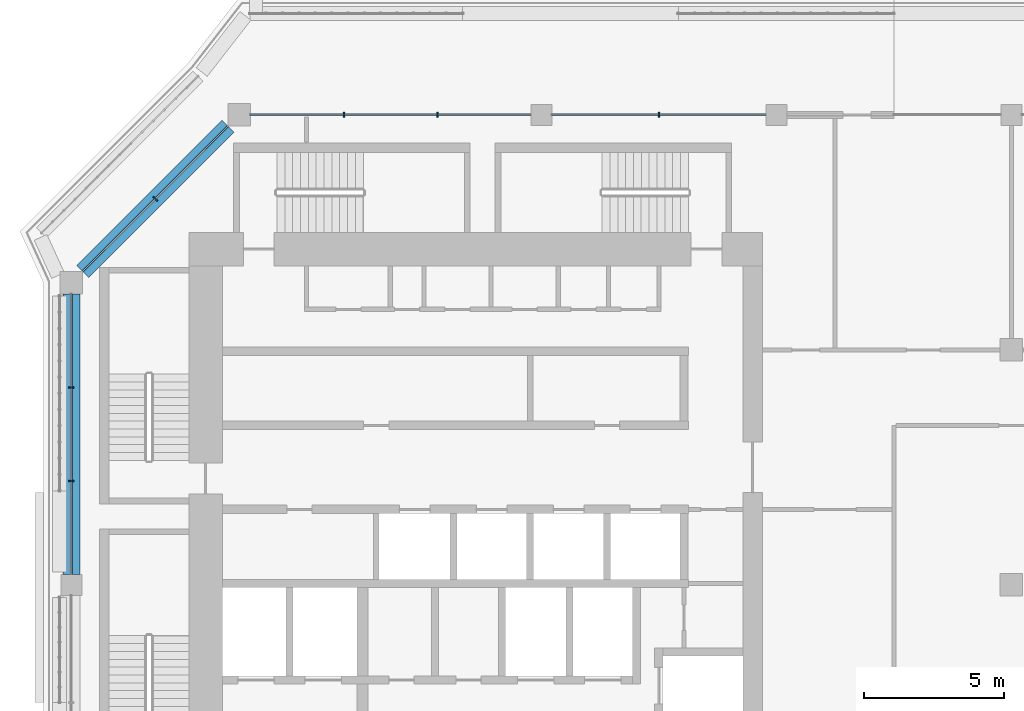
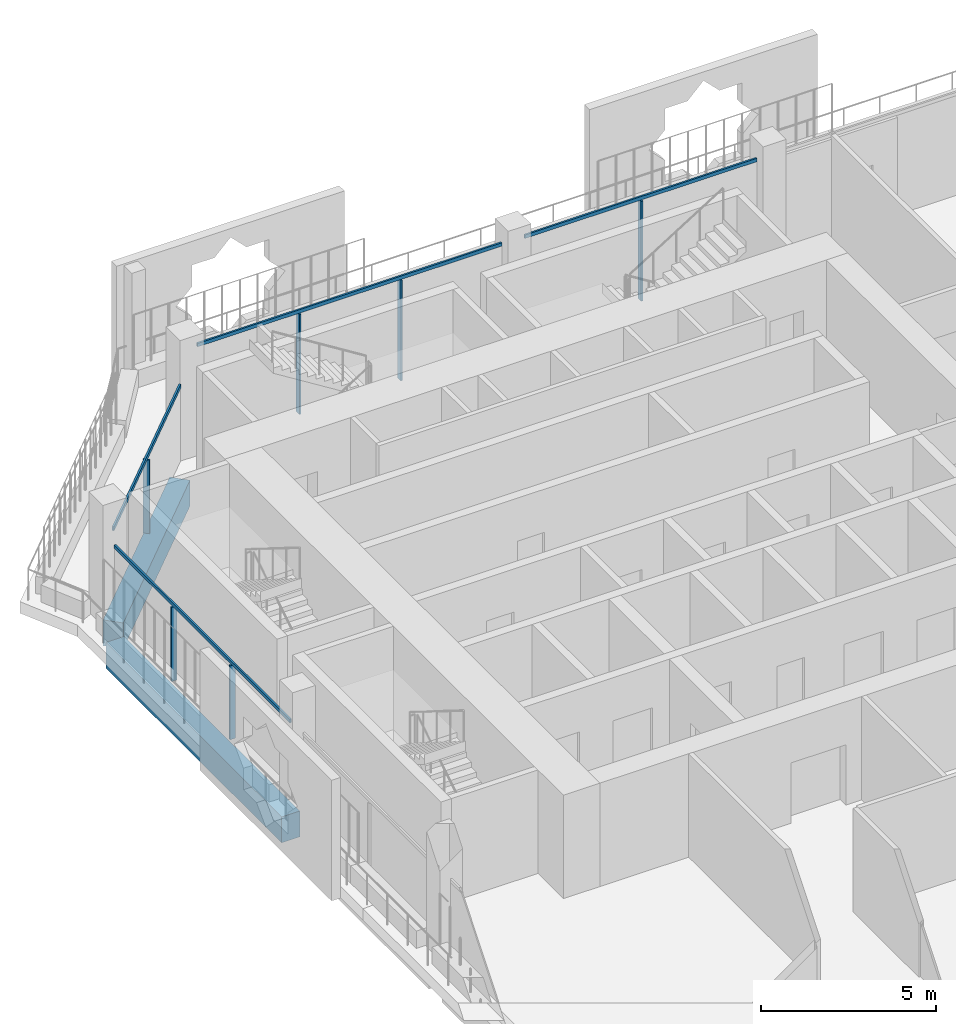
# One storey, part 6 of 21: 10 members, 2 beams, 3 elements without a shape of their own.
"""IFC4 building model written with IfcOpenShell, lengths in metres."""

from ifc_helpers import new_model, si_unit, direction, frame, origin, origin_2d, place, context, subcontext, project, spatial, rectangle, extrude, material, layer, layer_set, material_profile, profile_set, type_object, element, aggregate, save


model = new_model("IFC4")

# Units and contexts
model_context = context("Model", 3, precision=1e-05, world=origin(), true_north=direction((0.0, 1.0)))
body_context = subcontext(model_context, "Body", "Model", "MODEL_VIEW")
ifc_project = project(units=[si_unit("LENGTHUNIT", "METRE"), si_unit("AREAUNIT", "SQUARE_METRE"), si_unit("VOLUMEUNIT", "CUBIC_METRE"), si_unit("PLANEANGLEUNIT", "RADIAN"), si_unit("MASSUNIT", "GRAM", prefix="KILO")], contexts=[model_context])

# Site, building, storey
site_placement = place(None, origin())
site = spatial("IfcSite", under=ifc_project, at=site_placement, CompositionType="ELEMENT")
building_placement = place(site_placement, origin())
building = spatial("IfcBuilding", under=site, at=building_placement, Name="Kawkab Arch Medical Tower", CompositionType="ELEMENT")
storey_placement = place(building_placement, frame((0.0, 0.0, 323.800048828125)))
storey = spatial("IfcBuildingStorey", under=building, at=storey_placement, Name="L75", CompositionType="ELEMENT", Elevation=323.800048828125)

# Curtain wall, members
ifc_material_1 = material(Name="Bronze anodised aluminium curtain wall frame", Category="aluminium")
ifc_layer_1 = layer(ifc_material_1, 0.159912109375)
ifc_layer_set_1 = layer_set([ifc_layer_1], Name="Bronze anodised aluminium curtain wall frame")
curtain_wall_type_1 = type_object("IfcCurtainWallType", Name="CW1 ward curtain wall", PredefinedType="NOTDEFINED", material=ifc_layer_set_1)
placement = place(storey_placement, origin())
curtain_wall_1 = element("IfcCurtainWall", 1, at=placement, inside=storey, type_object=curtain_wall_type_1, Name="CW1 Ward curtain wall R02", PredefinedType="NOTDEFINED")
ifc_material_2 = material(Name="Bronze anodised aluminium curtain wall frame", Category="aluminium")
ifc_material_profile_1 = material_profile(ifc_material_2, rectangle(XDim=0.179931640625, YDim=0.06005859375, at=origin_2d()), Name="AL 60x180")
ifc_profile_set_1 = profile_set([ifc_material_profile_1], Name="Bronze anodised aluminium curtain wall frame")
member_type_1 = type_object("IfcMemberType", Name="CW1 mullion 60 x 180", PredefinedType="MULLION", material=ifc_profile_set_1)
member_1_placement = place(storey_placement, frame((0.0, -9.74169921875, 0.0), z_axis=(0.0, 0.0, 1.0), x_axis=(1.0, 0.0, 0.0)))
member_1 = element("IfcMember", 2, at=member_1_placement, type_object=member_type_1, Name="CW1 mullion 1.1", PredefinedType="MULLION", context=body_context, shape_type="SweptSolid", body=[
    extrude(rectangle(XDim=0.179931640625, YDim=0.06005859375, at=origin_2d()), origin(), (0.0, 0.0, 1.0), 2.579833984375),
])
member_2_placement = place(storey_placement, frame((0.0, -13.083251953125, 0.0), z_axis=(0.0, 0.0, 1.0), x_axis=(1.0, 0.0, 0.0)))
member_2 = element("IfcMember", 3, at=member_2_placement, type_object=member_type_1, Name="CW1 mullion 1.2", PredefinedType="MULLION", context=body_context, shape_type="SweptSolid", body=[
    extrude(rectangle(XDim=0.179931640625, YDim=0.06005859375, at=origin_2d()), origin(), (0.0, 0.0, 1.0), 2.579833984375),
])

curtain_wall_2 = element("IfcCurtainWall", 4, at=placement, inside=storey, type_object=curtain_wall_type_1, Name="CW1 Ward curtain wall R15", PredefinedType="NOTDEFINED")
member_3_placement = place(storey_placement, frame((21.0, 0.0, 0.0), z_axis=(0.0, 0.0, 1.0), x_axis=(0.0, -1.0, 0.0)))
member_3 = element("IfcMember", 5, at=member_3_placement, type_object=member_type_1, Name="CW1 mullion 4.1", PredefinedType="MULLION", context=body_context, shape_type="SweptSolid", body=[
    extrude(rectangle(XDim=0.179931640625, YDim=0.06005859375, at=origin_2d()), origin(), (0.0, 0.0, 1.0), 3.47998046875),
])
member_4_placement = place(storey_placement, frame((13.083251953125, 0.0, 0.0), z_axis=(0.0, 0.0, 1.0), x_axis=(0.0, -1.0, 0.0)))
member_4 = element("IfcMember", 6, at=member_4_placement, type_object=member_type_1, Name="CW1 mullion 5.1", PredefinedType="MULLION", context=body_context, shape_type="SweptSolid", body=[
    extrude(rectangle(XDim=0.179931640625, YDim=0.06005859375, at=origin_2d()), origin(), (0.0, 0.0, 1.0), 3.47998046875),
])
member_5_placement = place(storey_placement, frame((9.74169921875, 0.0, 0.0), z_axis=(0.0, 0.0, 1.0), x_axis=(0.0, -1.0, 0.0)))
member_5 = element("IfcMember", 7, at=member_5_placement, type_object=member_type_1, Name="CW1 mullion 5.2", PredefinedType="MULLION", context=body_context, shape_type="SweptSolid", body=[
    extrude(rectangle(XDim=0.179931640625, YDim=0.06005859375, at=origin_2d()), origin(), (0.0, 0.0, 1.0), 3.47998046875),
])

# Member
ifc_material_3 = material(Name="Bronze anodised aluminium curtain wall frame", Category="aluminium")
ifc_material_profile_2 = material_profile(ifc_material_3, rectangle(XDim=0.06005859375, YDim=0.1201171875, at=origin_2d()), Name="AL 60x120")
ifc_profile_set_2 = profile_set([ifc_material_profile_2], Name="Bronze anodised aluminium curtain wall frame")
member_type_2 = type_object("IfcMemberType", Name="CW1 transom 120 x 60", PredefinedType="USERDEFINED", material=ifc_profile_set_2)
member_6_placement = place(storey_placement, frame((0.0, -6.39990234375, 2.639892578125), z_axis=(0.0, -1.0, 0.0), x_axis=(1.0, 0.0, 0.0)))
member_6 = element("IfcMember", 8, at=member_6_placement, type_object=member_type_2, Name="CW1 transom 1", ObjectType="TRANSOM", PredefinedType="USERDEFINED", context=body_context, shape_type="SweptSolid", body=[
    extrude(rectangle(XDim=0.06005859375, YDim=0.1201171875, at=origin_2d()), origin(), (0.0, 0.0, 1.0), 10.025146484375),
])

aggregate(curtain_wall_1, [member_6, member_1, member_2])

member_7_placement = place(storey_placement, frame((24.824951171875, 0.0, 3.5400390625), z_axis=(-1.0, 0.0, 0.0), x_axis=(0.0, -1.0, 0.0)))
member_7 = element("IfcMember", 9, at=member_7_placement, type_object=member_type_2, Name="CW1 transom 4", ObjectType="TRANSOM", PredefinedType="USERDEFINED", context=body_context, shape_type="SweptSolid", body=[
    extrude(rectangle(XDim=0.06005859375, YDim=0.1201171875, at=origin_2d()), origin(), (0.0, 0.0, 1.0), 7.64990234375),
])

member_8_placement = place(storey_placement, frame((16.425048828125, 0.0, 3.5400390625), z_axis=(-1.0, 0.0, 0.0), x_axis=(0.0, -1.0, 0.0)))
member_8 = element("IfcMember", 10, at=member_8_placement, type_object=member_type_2, Name="CW1 transom 5", ObjectType="TRANSOM", PredefinedType="USERDEFINED", context=body_context, shape_type="SweptSolid", body=[
    extrude(rectangle(XDim=0.06005859375, YDim=0.1201171875, at=origin_2d()), origin(), (0.0, 0.0, 1.0), 10.025146484375),
])

aggregate(curtain_wall_2, [member_7, member_3, member_8, member_4, member_5])

# Curtain wall, members
ifc_material_4 = material(Name="Bronze anodised aluminium curtain wall frame", Category="aluminium")
ifc_layer_2 = layer(ifc_material_4, 0.159912109375)
ifc_layer_set_2 = layer_set([ifc_layer_2], Name="Bronze anodised aluminium curtain wall frame")
curtain_wall_type_2 = type_object("IfcCurtainWallType", Name="CW2 chamfer curtain wall", PredefinedType="NOTDEFINED", material=ifc_layer_set_2)
curtain_wall_3 = element("IfcCurtainWall", 11, at=placement, inside=storey, type_object=curtain_wall_type_2, Name="CW2 Chamfer curtain wall R01", PredefinedType="NOTDEFINED")
ifc_material_5 = material(Name="Bronze anodised aluminium curtain wall frame", Category="aluminium")
ifc_material_profile_3 = material_profile(ifc_material_5, rectangle(XDim=0.199951171875, YDim=0.06005859375, at=origin_2d()), Name="AL 60x200")
ifc_profile_set_3 = profile_set([ifc_material_profile_3], Name="Bronze anodised aluminium curtain wall frame")
member_type_3 = type_object("IfcMemberType", Name="CW2 mullion 60 x 200", PredefinedType="MULLION", material=ifc_profile_set_3)
member_9_placement = place(storey_placement, frame((3.0, -3.0, 0.0), z_axis=(0.0, 0.0, 1.0), x_axis=(0.707106781187, -0.707106781187, 0.0)))
member_9 = element("IfcMember", 12, at=member_9_placement, type_object=member_type_3, Name="CW2 mullion 1.1", PredefinedType="MULLION", context=body_context, shape_type="SweptSolid", body=[
    extrude(rectangle(XDim=0.199951171875, YDim=0.06005859375, at=origin_2d()), origin(), (0.0, 0.0, 1.0), 2.56005859375),
])
ifc_material_6 = material(Name="Bronze anodised aluminium curtain wall frame", Category="aluminium")
ifc_material_profile_4 = material_profile(ifc_material_6, rectangle(XDim=0.06005859375, YDim=0.139892578125, at=origin_2d()), Name="AL 60x140")
ifc_profile_set_4 = profile_set([ifc_material_profile_4], Name="Bronze anodised aluminium curtain wall frame")
member_type_4 = type_object("IfcMemberType", Name="CW2 transom 140 x 60", PredefinedType="USERDEFINED", material=ifc_profile_set_4)
member_10_placement = place(storey_placement, frame((5.60009765625, -0.39990234375, 2.6298828125), z_axis=(-0.707106781187, -0.707106781187, 0.0), x_axis=(0.707106781187, -0.707106781187, 0.0)))
member_10 = element("IfcMember", 13, at=member_10_placement, type_object=member_type_4, Name="CW2 transom 1", ObjectType="TRANSOM", PredefinedType="USERDEFINED", context=body_context, shape_type="SweptSolid", body=[
    extrude(rectangle(XDim=0.06005859375, YDim=0.139892578125, at=origin_2d()), origin(), (0.0, 0.0, 1.0), 7.354248046875),
])
aggregate(curtain_wall_3, [member_10, member_9])

# Beams
ifc_material_7 = material(Name="Concrete C40/50", Category="concrete")
ifc_material_profile_5 = material_profile(ifc_material_7, rectangle(XDim=0.60009765625, YDim=0.89990234375, at=origin_2d()), Name="RC 600x900")
ifc_profile_set_5 = profile_set([ifc_material_profile_5], Name="Concrete C40/50")
beam_type = type_object("IfcBeamType", Name="RC 600x900 beam C40/50", PredefinedType="BEAM", material=ifc_profile_set_5)
beam_1_placement = place(storey_placement, frame((0.39990234375, -5.60009765625, -1.050048828125), z_axis=(0.707106781187, 0.707106781187, 0.0), x_axis=(-0.707106781187, 0.707106781187, 0.0)))
element("IfcBeam", 14, at=beam_1_placement, inside=storey, type_object=beam_type, Name="Overhang edge beam L75-01", PredefinedType="BEAM", context=body_context, shape_type="SweptSolid", body=[
    extrude(rectangle(XDim=0.60009765625, YDim=0.89990234375, at=origin_2d()), origin(), (0.0, 0.0, 1.0), 7.354248046875),
])
beam_2_placement = place(storey_placement, frame((0.0, -16.425048828125, -1.050048828125), z_axis=(0.0, 1.0, 0.0), x_axis=(-1.0, 0.0, 0.0)))
element("IfcBeam", 15, at=beam_2_placement, inside=storey, type_object=beam_type, Name="Overhang edge beam L75-05", PredefinedType="BEAM", context=body_context, shape_type="SweptSolid", body=[
    extrude(rectangle(XDim=0.60009765625, YDim=0.89990234375, at=origin_2d()), origin(), (0.0, 0.0, 1.0), 10.025146484375),
])

save(model, "model.ifc")
